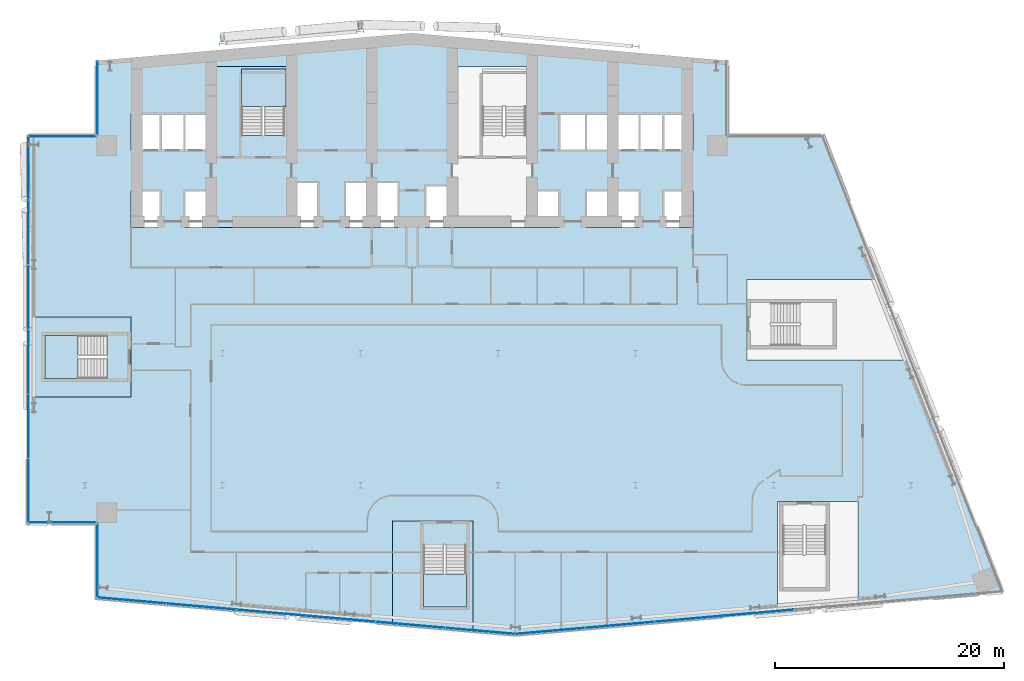
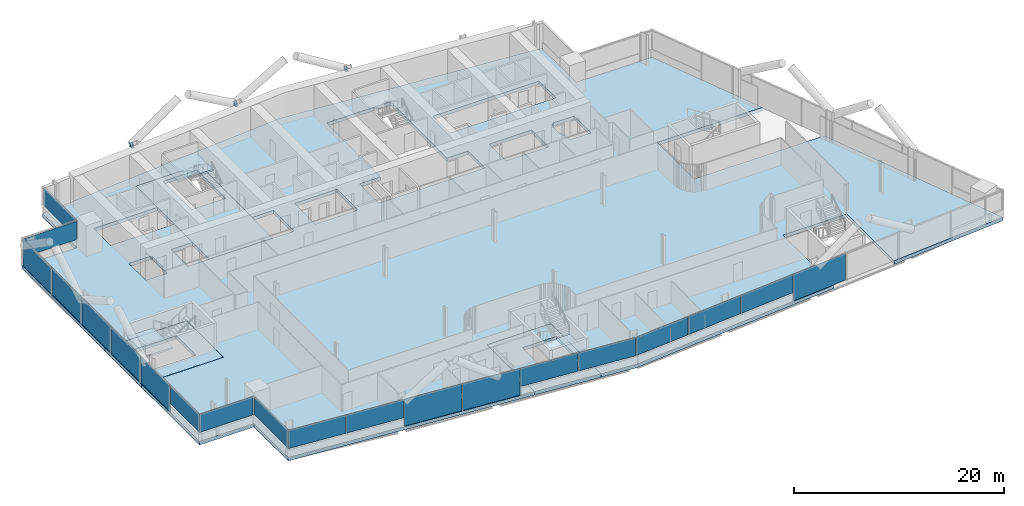
# One storey, part 12 of 30: 20 plates, 7 slabs, 4 members, 10 elements without a shape of their own.
"""IFC4 building model written with IfcOpenShell, lengths in metres."""

from ifc_helpers import new_model, si_unit, direction, frame, origin, origin_2d, place, context, subcontext, project, spatial, polyline, rectangle, i_section, outline, extrude, material, layer, layer_set, material_profile, profile_set, type_object, element, aggregate, save


model = new_model("IFC4")

# Units and contexts
model_context = context("Model", 3, precision=1e-05, world=origin(), true_north=direction((0.0, 1.0)))
body_context = subcontext(model_context, "Body", "Model", "MODEL_VIEW")
ifc_project = project(units=[si_unit("LENGTHUNIT", "METRE"), si_unit("AREAUNIT", "SQUARE_METRE"), si_unit("VOLUMEUNIT", "CUBIC_METRE"), si_unit("PLANEANGLEUNIT", "RADIAN"), si_unit("MASSUNIT", "GRAM", prefix="KILO")], contexts=[model_context])

# Site, building, storey
site_placement = place(None, origin())
site = spatial("IfcSite", under=ifc_project, at=site_placement, CompositionType="ELEMENT")
building_placement = place(site_placement, origin())
building = spatial("IfcBuilding", under=site, at=building_placement, Name="Wharfspan Tower", CompositionType="ELEMENT")
storey_placement = place(building_placement, frame((0.0, 0.0, 100.300049)))
storey = spatial("IfcBuildingStorey", under=building, at=storey_placement, Name="L22", CompositionType="ELEMENT", Elevation=100.300049)

# Members
ifc_material_1 = material(Name="Steel S355J2", Category="steel")
ifc_material_profile = material_profile(ifc_material_1, i_section(OverallWidth=0.300049, OverallDepth=0.300049, WebThickness=0.010986, FlangeThickness=0.019043, FilletRadius=0.0271, at=origin_2d()))
ifc_profile_set = profile_set([ifc_material_profile], Name="Steel S355J2")
member_type = type_object("IfcMemberType", Name="Brace node stub HEB 300", PredefinedType="STRUT", material=ifc_profile_set)
for number, where, z_axis, x_axis, name in (
    (1, (36.003906, 51.259521, 2.899902), (0.021934, 0.999759, 0.0), (-0.999759, 0.021934, 0.0), "Brace node stub L23 N1 A"),
    (2, (48.003662, 50.984131, 2.899902), (0.021934, 0.999759, 0.0), (-0.999759, 0.021934, 0.0), "Brace node stub L23 N1 B"),
    (3, (23.987061, 50.17627, 2.899902), (-0.087292, 0.996183, 0.0), (-0.996183, -0.087292, 0.0), "Brace node stub L23 N1 A"),
    (4, (35.987061, 51.226074, 2.899902), (-0.087292, 0.996183, 0.0), (-0.996183, -0.087292, 0.0), "Brace node stub L23 N1 B"),
):
    element("IfcMember", number, at=place(storey_placement, frame(where, z_axis=z_axis, x_axis=x_axis)), inside=storey, type_object=member_type, Name=name, PredefinedType="STRUT", context=body_context, shape_type="SweptSolid", body=[
        extrude(i_section(OverallWidth=0.300049, OverallDepth=0.300049, WebThickness=0.010986, FlangeThickness=0.019043, FilletRadius=0.0271, at=origin_2d()), origin(), (0.0, 0.0, 1.0), 0.556641),
    ])

# Curtain wall, plates
ifc_material_2 = material(Name="Aluminium 6063-T6", Category="aluminium")
curtain_wall_type_1 = type_object("IfcCurtainWallType", Name="CURTAIN WALL FACETED FRONT", PredefinedType="NOTDEFINED", material=ifc_material_2)
curtain_wall_1_placement = place(storey_placement, origin())
curtain_wall_1 = element("IfcCurtainWall", 5, at=curtain_wall_1_placement, inside=storey, type_object=curtain_wall_type_1, Name="Curtain wall S1", PredefinedType="NOTDEFINED")
ifc_material_3 = material(Name="Glass clear low-iron double glazing", Category="glass")
ifc_layer_1 = layer(ifc_material_3, 0.040039)
ifc_layer_set_1 = layer_set([ifc_layer_1], Name="Glass clear low-iron double glazing")
plate_type_1 = type_object("IfcPlateType", Name="GLASS PANEL FACETED FRONT 40", PredefinedType="CURTAIN_PANEL", material=ifc_layer_set_1)
plate_1_placement = place(storey_placement, frame((16.061768, 1.467529, 1.0), z_axis=(0.0, 0.0, 1.0), x_axis=(0.996198, -0.087156, 0.0)))
plate_1 = element("IfcPlate", 6, at=plate_1_placement, type_object=plate_type_1, Name="Curtain wall S1 panel 1", PredefinedType="CURTAIN_PANEL", context=body_context, shape_type="SweptSolid", body=[
    extrude(rectangle(XDim=6.016602, YDim=0.040039, at=origin_2d()), origin(), (0.0, 0.0, 1.0), 2.120117),
])
plate_2_placement = place(storey_placement, frame((22.130127, 0.936523, 1.0), z_axis=(0.0, 0.0, 1.0), x_axis=(0.996198, -0.087156, 0.0)))
plate_2 = element("IfcPlate", 7, at=plate_2_placement, type_object=plate_type_1, Name="Curtain wall S1 panel 2", PredefinedType="CURTAIN_PANEL", context=body_context, shape_type="SweptSolid", body=[
    extrude(rectangle(XDim=6.046631, YDim=0.040039, at=origin_2d()), origin(), (0.0, 0.0, 1.0), 2.120117),
])
plate_3_placement = place(storey_placement, frame((40.380127, -0.660156, 1.0), z_axis=(0.0, 0.0, 1.0), x_axis=(0.996198, -0.087156, 0.0)))
plate_3 = element("IfcPlate", 8, at=plate_3_placement, type_object=plate_type_1, Name="Curtain wall S1 panel 5", PredefinedType="CURTAIN_PANEL", context=body_context, shape_type="SweptSolid", body=[
    extrude(rectangle(XDim=6.046631, YDim=0.040039, at=origin_2d()), origin(), (0.0, 0.0, 1.0), 2.120117),
])
plate_4_placement = place(storey_placement, frame((46.44873, -1.191162, 1.0), z_axis=(0.0, 0.0, 1.0), x_axis=(0.996198, -0.087156, 0.0)))
plate_4 = element("IfcPlate", 9, at=plate_4_placement, type_object=plate_type_1, Name="Curtain wall S1 panel 6", PredefinedType="CURTAIN_PANEL", context=body_context, shape_type="SweptSolid", body=[
    extrude(rectangle(XDim=6.016602, YDim=0.040039, at=origin_2d()), origin(), (0.0, 0.0, 1.0), 2.120117),
])

curtain_wall_2_placement = place(storey_placement, origin())
curtain_wall_2 = element("IfcCurtainWall", 10, at=curtain_wall_2_placement, inside=storey, type_object=curtain_wall_type_1, Name="Curtain wall S2", PredefinedType="NOTDEFINED")
plate_5_placement = place(storey_placement, frame((52.54541, -1.19165, 1.0), z_axis=(0.0, 0.0, 1.0), x_axis=(0.996198, 0.087156, 0.0)))
plate_5 = element("IfcPlate", 11, at=plate_5_placement, type_object=plate_type_1, Name="Curtain wall S2 panel 1", PredefinedType="CURTAIN_PANEL", context=body_context, shape_type="SweptSolid", body=[
    extrude(rectangle(XDim=6.004639, YDim=0.040039, at=origin_2d()), origin(), (0.0, 0.0, 1.0), 2.120117),
])
plate_6_placement = place(storey_placement, frame((58.601807, -0.661621, 1.0), z_axis=(0.0, 0.0, 1.0), x_axis=(0.996198, 0.087156, 0.0)))
plate_6 = element("IfcPlate", 12, at=plate_6_placement, type_object=plate_type_1, Name="Curtain wall S2 panel 2", PredefinedType="CURTAIN_PANEL", context=body_context, shape_type="SweptSolid", body=[
    extrude(rectangle(XDim=6.034668, YDim=0.040039, at=origin_2d()), origin(), (0.0, 0.0, 1.0), 2.120117),
])
plate_7_placement = place(storey_placement, frame((64.67334, -0.130615, 1.0), z_axis=(0.0, 0.0, 1.0), x_axis=(0.996198, 0.087156, 0.0)))
plate_7 = element("IfcPlate", 13, at=plate_7_placement, type_object=plate_type_1, Name="Curtain wall S2 panel 3", PredefinedType="CURTAIN_PANEL", context=body_context, shape_type="SweptSolid", body=[
    extrude(rectangle(XDim=6.034668, YDim=0.040039, at=origin_2d()), origin(), (0.0, 0.0, 1.0), 2.120117),
])

# Curtain wall, plate
curtain_wall_type_2 = type_object("IfcCurtainWallType", Name="CURTAIN WALL PROW AND END", PredefinedType="NOTDEFINED", material=ifc_material_2)
curtain_wall_3_placement = place(storey_placement, origin())
curtain_wall_3 = element("IfcCurtainWall", 14, at=curtain_wall_3_placement, inside=storey, type_object=curtain_wall_type_2, Name="Curtain wall NRW-V", PredefinedType="NOTDEFINED")
ifc_layer_2 = layer(ifc_material_3, 0.040039)
ifc_layer_set_2 = layer_set([ifc_layer_2], Name="Glass clear low-iron double glazing")
plate_type_2 = type_object("IfcPlateType", Name="GLASS PANEL PROW AND END 40", PredefinedType="CURTAIN_PANEL", material=ifc_layer_set_2)
plate_8_placement = place(storey_placement, frame((13.080078, 45.262451, 1.0), z_axis=(0.0, 0.0, 1.0), x_axis=(0.0, -1.0, 0.0)))
plate_8 = element("IfcPlate", 15, at=plate_8_placement, type_object=plate_type_2, Name="Curtain wall NRW-V panel 1", PredefinedType="CURTAIN_PANEL", context=body_context, shape_type="SweptSolid", body=[
    extrude(rectangle(XDim=6.405029, YDim=0.040039, at=origin_2d()), origin(), (0.0, 0.0, 1.0), 2.120117),
])
aggregate(curtain_wall_3, [plate_8])

curtain_wall_4_placement = place(storey_placement, origin())
curtain_wall_4 = element("IfcCurtainWall", 16, at=curtain_wall_4_placement, inside=storey, type_object=curtain_wall_type_2, Name="Curtain wall NRW-H", PredefinedType="NOTDEFINED")
plate_9_placement = place(storey_placement, frame((10.0, 41.919922, 1.0), z_axis=(0.0, 0.0, 1.0), x_axis=(-1.0, 0.0, 0.0)))
plate_9 = element("IfcPlate", 17, at=plate_9_placement, type_object=plate_type_2, Name="Curtain wall NRW-H panel 1", PredefinedType="CURTAIN_PANEL", context=body_context, shape_type="SweptSolid", body=[
    extrude(rectangle(XDim=5.879883, YDim=0.040039, at=origin_2d()), origin(), (0.0, 0.0, 1.0), 2.120117),
])
aggregate(curtain_wall_4, [plate_9])

curtain_wall_5_placement = place(storey_placement, origin())
curtain_wall_5 = element("IfcCurtainWall", 18, at=curtain_wall_5_placement, inside=storey, type_object=curtain_wall_type_2, Name="Curtain wall W", PredefinedType="NOTDEFINED")
plate_10_placement = place(storey_placement, frame((7.080078, 11.031738, 1.0), z_axis=(0.0, 0.0, 1.0), x_axis=(0.0, -1.0, 0.0)))
plate_10 = element("IfcPlate", 19, at=plate_10_placement, type_object=plate_type_2, Name="Curtain wall W panel 6", PredefinedType="CURTAIN_PANEL", context=body_context, shape_type="SweptSolid", body=[
    extrude(rectangle(XDim=5.543213, YDim=0.040039, at=origin_2d()), origin(), (0.0, 0.0, 1.0), 2.120117),
])

curtain_wall_6_placement = place(storey_placement, origin())
curtain_wall_6 = element("IfcCurtainWall", 20, at=curtain_wall_6_placement, inside=storey, type_object=curtain_wall_type_2, Name="Curtain wall NFW-H", PredefinedType="NOTDEFINED")
plate_11_placement = place(storey_placement, frame((10.0, 8.280029, 1.0), z_axis=(0.0, 0.0, 1.0), x_axis=(1.0, 0.0, 0.0)))
plate_11 = element("IfcPlate", 21, at=plate_11_placement, type_object=plate_type_2, Name="Curtain wall NFW-H panel 1", PredefinedType="CURTAIN_PANEL", context=body_context, shape_type="SweptSolid", body=[
    extrude(rectangle(XDim=5.879883, YDim=0.040039, at=origin_2d()), origin(), (0.0, 0.0, 1.0), 2.120117),
])
aggregate(curtain_wall_6, [plate_11])

curtain_wall_7_placement = place(storey_placement, origin())
curtain_wall_7 = element("IfcCurtainWall", 22, at=curtain_wall_7_placement, inside=storey, type_object=curtain_wall_type_2, Name="Curtain wall NFW-V", PredefinedType="NOTDEFINED")
plate_12_placement = place(storey_placement, frame((13.080078, 4.9375, 1.0), z_axis=(0.0, 0.0, 1.0), x_axis=(0.0, -1.0, 0.0)))
plate_12 = element("IfcPlate", 23, at=plate_12_placement, type_object=plate_type_2, Name="Curtain wall NFW-V panel 1", PredefinedType="CURTAIN_PANEL", context=body_context, shape_type="SweptSolid", body=[
    extrude(rectangle(XDim=6.405029, YDim=0.040039, at=origin_2d()), origin(), (0.0, 0.0, 1.0), 2.120117),
])
aggregate(curtain_wall_7, [plate_12])

# Plate
ifc_material_4 = material(Name="Aluminium composite opaque insulated panel", Category="aluminium")
ifc_layer_3 = layer(ifc_material_4, 0.040039)
ifc_layer_set_3 = layer_set([ifc_layer_3], Name="Aluminium composite opaque insulated panel")
plate_type_3 = type_object("IfcPlateType", Name="INFILL PANEL FACETED FRONT OPAQUE 40", PredefinedType="SHEET", material=ifc_layer_set_3)
plate_13_placement = place(storey_placement, frame((28.213623, 0.404297, 0.0), z_axis=(0.0, 0.0, 1.0), x_axis=(0.996198, -0.087156, 0.0)))
plate_13 = element("IfcPlate", 24, at=plate_13_placement, type_object=plate_type_3, Name="Curtain wall S1 panel 3", PredefinedType="SHEET", context=body_context, shape_type="SweptSolid", body=[
    extrude(rectangle(XDim=6.046631, YDim=0.040039, at=origin_2d()), origin(), (0.0, 0.0, 1.0), 3.120117),
])

plate_14_placement = place(storey_placement, frame((34.296875, -0.12793, 0.0), z_axis=(0.0, 0.0, 1.0), x_axis=(0.996198, -0.087156, 0.0)))
plate_14 = element("IfcPlate", 25, at=plate_14_placement, type_object=plate_type_3, Name="Curtain wall S1 panel 4", PredefinedType="SHEET", context=body_context, shape_type="SweptSolid", body=[
    extrude(rectangle(XDim=6.046631, YDim=0.040039, at=origin_2d()), origin(), (0.0, 0.0, 1.0), 3.120117),
])

aggregate(curtain_wall_1, [plate_1, plate_2, plate_13, plate_14, plate_3, plate_4])

plate_15_placement = place(storey_placement, frame((70.744873, 0.400635, 0.0), z_axis=(0.0, 0.0, 1.0), x_axis=(0.996198, 0.087156, 0.0)))
plate_15 = element("IfcPlate", 26, at=plate_15_placement, type_object=plate_type_3, Name="Curtain wall S2 panel 4", PredefinedType="SHEET", context=body_context, shape_type="SweptSolid", body=[
    extrude(rectangle(XDim=6.034668, YDim=0.040039, at=origin_2d()), origin(), (0.0, 0.0, 1.0), 3.120117),
])

aggregate(curtain_wall_2, [plate_5, plate_6, plate_7, plate_15])

ifc_layer_4 = layer(ifc_material_4, 0.040039)
ifc_layer_set_4 = layer_set([ifc_layer_4], Name="Aluminium composite opaque insulated panel")
plate_type_4 = type_object("IfcPlateType", Name="INFILL PANEL PROW AND END OPAQUE 40", PredefinedType="SHEET", material=ifc_layer_set_4)
plate_16_placement = place(storey_placement, frame((7.080078, 39.168213, 0.0), z_axis=(0.0, 0.0, 1.0), x_axis=(0.0, -1.0, 0.0)))
plate_16 = element("IfcPlate", 27, at=plate_16_placement, type_object=plate_type_4, Name="Curtain wall W panel 1", PredefinedType="SHEET", context=body_context, shape_type="SweptSolid", body=[
    extrude(rectangle(XDim=5.543213, YDim=0.040039, at=origin_2d()), origin(), (0.0, 0.0, 1.0), 3.120117),
])

plate_17_placement = place(storey_placement, frame((7.080078, 33.550049, 0.0), z_axis=(0.0, 0.0, 1.0), x_axis=(0.0, -1.0, 0.0)))
plate_17 = element("IfcPlate", 28, at=plate_17_placement, type_object=plate_type_4, Name="Curtain wall W panel 2", PredefinedType="SHEET", context=body_context, shape_type="SweptSolid", body=[
    extrude(rectangle(XDim=5.573242, YDim=0.040039, at=origin_2d()), origin(), (0.0, 0.0, 1.0), 3.120117),
])

plate_18_placement = place(storey_placement, frame((7.080078, 27.916748, 0.0), z_axis=(0.0, 0.0, 1.0), x_axis=(0.0, -1.0, 0.0)))
plate_18 = element("IfcPlate", 29, at=plate_18_placement, type_object=plate_type_4, Name="Curtain wall W panel 3", PredefinedType="SHEET", context=body_context, shape_type="SweptSolid", body=[
    extrude(rectangle(XDim=5.573242, YDim=0.040039, at=origin_2d()), origin(), (0.0, 0.0, 1.0), 3.120117),
])

plate_19_placement = place(storey_placement, frame((7.080078, 22.283447, 0.0), z_axis=(0.0, 0.0, 1.0), x_axis=(0.0, -1.0, 0.0)))
plate_19 = element("IfcPlate", 30, at=plate_19_placement, type_object=plate_type_4, Name="Curtain wall W panel 4", PredefinedType="SHEET", context=body_context, shape_type="SweptSolid", body=[
    extrude(rectangle(XDim=5.573242, YDim=0.040039, at=origin_2d()), origin(), (0.0, 0.0, 1.0), 3.120117),
])

plate_20_placement = place(storey_placement, frame((7.080078, 16.649902, 0.0), z_axis=(0.0, 0.0, 1.0), x_axis=(0.0, -1.0, 0.0)))
plate_20 = element("IfcPlate", 31, at=plate_20_placement, type_object=plate_type_4, Name="Curtain wall W panel 5", PredefinedType="SHEET", context=body_context, shape_type="SweptSolid", body=[
    extrude(rectangle(XDim=5.573242, YDim=0.040039, at=origin_2d()), origin(), (0.0, 0.0, 1.0), 3.120117),
])

aggregate(curtain_wall_5, [plate_16, plate_17, plate_18, plate_19, plate_20, plate_10])

# Slabs
ifc_material_5 = material(Name="Concrete C40/50", Category="concrete")
ifc_layer_5 = layer(ifc_material_5, 0.399902)
ifc_layer_set_5 = layer_set([ifc_layer_5], Name="Concrete C40/50")
slab_type_1 = type_object("IfcSlabType", Name="Post-tensioned flat slab 400", PredefinedType="FLOOR", material=ifc_layer_set_5)
slab_1_placement = place(storey_placement, frame((0.0, 0.0, -0.400146)))
element("IfcSlab", 32, at=slab_1_placement, inside=storey, type_object=slab_type_1, Name="Floor slab L22", PredefinedType="FLOOR", context=body_context, shape_type="SweptSolid", body=[
    extrude(outline(polyline([(38.800293, -0.582275), (38.800293, 8.427002), (45.820312, 8.427002), (45.820312, -1.196289), (49.5, -1.518311), (72.355957, 0.481445), (72.355957, 10.104736), (79.375977, 10.104736), (79.375977, 1.095459), (92.0, 2.199951), (84.04541, 22.439941), (69.68042, 22.439941), (69.68042, 29.459961), (81.286621, 29.459961), (76.358154, 42.0), (68.0, 42.0), (68.0, 48.524902), (40.5, 50.930908), (13.0, 48.524902), (13.0, 42.0), (7.0, 42.0), (7.0, 26.209961), (16.01001, 26.209961), (16.01001, 19.189941), (7.0, 19.189941), (7.0, 8.199951), (13.0, 8.199951), (13.0, 1.675049), (38.800293, -0.582275)]), holes=[polyline([(62.48999, 35.389893), (62.36499, 35.389893), (62.36499, 36.909912), (62.48999, 36.909912), (62.48999, 37.110107), (62.656738, 37.110107), (62.656738, 37.209961), (65.01001, 37.209961), (65.01001, 33.98999), (62.656738, 33.98999), (62.656738, 34.98999), (62.48999, 34.98999), (62.48999, 35.389893)]), polyline([(65.01001, 43.909912), (65.01001, 40.689941), (53.323242, 40.689941), (53.323242, 43.909912), (65.01001, 43.909912)]), polyline([(55.656738, 33.98999), (55.656738, 37.209961), (60.343262, 37.209961), (60.343262, 33.98999), (55.656738, 33.98999)]), polyline([(43.98999, 37.659912), (43.98999, 48.01001), (51.01001, 48.01001), (51.01001, 37.209961), (53.343262, 37.209961), (53.343262, 33.98999), (41.656738, 33.98999), (41.656738, 37.659912), (43.98999, 37.659912)]), polyline([(34.656738, 33.98999), (34.656738, 37.959961), (39.343262, 37.959961), (39.343262, 33.98999), (34.656738, 33.98999)]), polyline([(20.656738, 37.209961), (22.98999, 37.209961), (22.98999, 40.689941), (20.676758, 40.689941), (20.656738, 40.689941), (15.98999, 40.689941), (15.98999, 43.909912), (20.656738, 43.909912), (20.676758, 43.909912), (22.98999, 43.909912), (22.98999, 48.01001), (30.01001, 48.01001), (30.01001, 37.959961), (32.343262, 37.959961), (32.343262, 33.98999), (20.656738, 33.98999), (20.656738, 37.209961)]), polyline([(18.51001, 34.98999), (18.343262, 34.98999), (18.343262, 33.98999), (15.98999, 33.98999), (15.98999, 37.209961), (18.343262, 37.209961), (18.343262, 37.110107), (18.51001, 37.110107), (18.51001, 34.98999)])]), origin(), (0.0, 0.0, 1.0), 0.400146),
])
slab_2_placement = place(storey_placement, frame((0.0, 0.0, -0.400146)))
element("IfcSlab", 33, at=slab_2_placement, inside=storey, type_object=slab_type_1, Name="Core floor slab L22 part 1", PredefinedType="FLOOR", context=body_context, shape_type="SweptSolid", body=[
    extrude(outline(polyline([(16.0, 20.524902), (16.0, 24.875), (16.0, 26.199951), (7.0, 26.199951), (7.0, 19.199951), (16.0, 19.199951), (16.0, 20.524902)]), holes=[polyline([(13.9021, 20.824951), (13.9021, 20.824707), (13.9021, 20.824707), (13.901855, 20.824463), (13.901855, 20.824219), (13.901855, 20.824219), (13.901611, 20.823975), (13.901611, 20.82373), (13.901367, 20.823486), (13.901367, 20.823486), (13.901123, 20.823242), (13.900879, 20.823242), (13.900879, 20.823242), (13.900635, 20.822998), (13.900391, 20.822998), (13.900146, 20.822998), (13.899902, 20.822998), (8.5, 20.822998), (8.499756, 20.822998), (8.499512, 20.822998), (8.499512, 20.822998), (8.499268, 20.823242), (8.499023, 20.823242), (8.498779, 20.823242), (8.498779, 20.823486), (8.498535, 20.823486), (8.498535, 20.82373), (8.498291, 20.823975), (8.498291, 20.824219), (8.498291, 20.824219), (8.498047, 20.824463), (8.498047, 20.824707), (8.498047, 20.824707), (8.498047, 20.824951), (8.498047, 24.574951), (8.498047, 24.575195), (8.498047, 24.575439), (8.498047, 24.575684), (8.498291, 24.575684), (8.498291, 24.575928), (8.498291, 24.576172), (8.498535, 24.576416), (8.498535, 24.576416), (8.498779, 24.576416), (8.498779, 24.57666), (8.499023, 24.576904), (8.499268, 24.576904), (8.499512, 24.576904), (8.499512, 24.576904), (8.499756, 24.576904), (8.5, 24.576904), (13.899902, 24.576904), (13.900146, 24.576904), (13.900391, 24.576904), (13.900635, 24.576904), (13.900879, 24.576904), (13.900879, 24.576904), (13.901123, 24.57666), (13.901367, 24.576416), (13.901367, 24.576416), (13.901611, 24.576416), (13.901611, 24.576172), (13.901855, 24.575928), (13.901855, 24.575684), (13.901855, 24.575684), (13.9021, 24.575439), (13.9021, 24.575195), (13.9021, 24.574951), (13.9021, 20.824951)])]), origin(), (0.0, 0.0, 1.0), 0.400146),
])
slab_3_placement = place(storey_placement, frame((0.0, 0.0, -0.400146)))
element("IfcSlab", 34, at=slab_3_placement, inside=storey, type_object=slab_type_1, Name="Core floor slab L22 part 2", PredefinedType="FLOOR", context=body_context, shape_type="SweptSolid", body=[
    extrude(outline(polyline([(20.664795, 34.0), (20.664795, 37.199951), (20.664795, 37.200195), (20.664795, 37.200439), (20.664795, 37.200684), (20.664795, 37.200684), (20.664795, 37.200928), (20.665039, 37.201172), (20.665039, 37.201416), (20.665283, 37.201416), (20.665283, 37.201416), (20.665527, 37.20166), (20.665771, 37.201904), (20.666016, 37.201904), (20.666016, 37.201904), (20.66626, 37.201904), (20.666504, 37.201904), (20.666748, 37.201904), (23.0, 37.201904), (23.000244, 37.201904), (23.000488, 37.201904), (23.000488, 37.201904), (23.000732, 37.201904), (23.000977, 37.201904), (23.001221, 37.20166), (23.001221, 37.201416), (23.001465, 37.201416), (23.001465, 37.201416), (23.001709, 37.201172), (23.001709, 37.200928), (23.001709, 37.200684), (23.001953, 37.200684), (23.001953, 37.200439), (23.001953, 37.200195), (23.001953, 37.199951), (23.001953, 34.0), (29.998047, 34.0), (29.998047, 37.949951), (29.998047, 37.950195), (29.998047, 37.950439), (29.998047, 37.950684), (29.998291, 37.950684), (29.998291, 37.950928), (29.998291, 37.951172), (29.998535, 37.951416), (29.998535, 37.951416), (29.998779, 37.951416), (29.998779, 37.95166), (29.999023, 37.951904), (29.999268, 37.951904), (29.999512, 37.951904), (29.999512, 37.951904), (29.999756, 37.951904), (30.0, 37.951904), (32.333252, 37.951904), (32.333496, 37.951904), (32.33374, 37.951904), (32.333984, 37.951904), (32.333984, 37.951904), (32.334229, 37.951904), (32.334473, 37.95166), (32.334717, 37.951416), (32.334717, 37.951416), (32.334961, 37.951416), (32.334961, 37.951172), (32.335205, 37.950928), (32.335205, 37.950684), (32.335205, 37.950684), (32.335205, 37.950439), (32.335205, 37.950195), (32.335205, 37.949951), (32.335205, 34.0), (32.341309, 34.0), (32.341309, 37.958008), (30.01001, 37.958008), (30.009766, 37.958008), (30.009521, 37.958008), (30.009521, 37.958008), (30.009277, 37.958252), (30.009033, 37.958252), (30.008789, 37.958252), (30.008789, 37.958496), (30.008545, 37.958496), (30.008545, 37.95874), (30.008301, 37.958984), (30.008301, 37.958984), (30.008301, 37.959229), (30.008057, 37.959473), (30.008057, 37.959717), (30.008057, 37.959717), (30.008057, 37.959961), (30.008057, 48.008057), (22.991943, 48.008057), (22.991943, 43.909912), (22.991943, 43.909912), (22.991943, 43.909668), (22.991943, 43.909424), (22.991699, 43.90918), (22.991699, 43.90918), (22.991699, 43.908936), (22.991455, 43.908691), (22.991455, 43.908691), (22.991211, 43.908447), (22.991211, 43.908203), (22.990967, 43.908203), (22.990723, 43.908203), (22.990479, 43.908203), (22.990479, 43.907959), (22.990234, 43.907959), (22.98999, 43.907959), (16.0, 43.907959), (16.0, 43.9021), (20.666748, 43.9021), (20.666748, 43.9021), (23.0, 43.9021), (23.000244, 43.9021), (23.000488, 43.9021), (23.000488, 43.901855), (23.000732, 43.901855), (23.000977, 43.901855), (23.001221, 43.901611), (23.001221, 43.901611), (23.001465, 43.901367), (23.001465, 43.901367), (23.001709, 43.901123), (23.001709, 43.900879), (23.001709, 43.900879), (23.001953, 43.900635), (23.001953, 43.900391), (23.001953, 43.900146), (23.001953, 43.899902), (23.001953, 40.699951), (23.001953, 40.699707), (23.001953, 40.699707), (23.001953, 40.699463), (23.001709, 40.699219), (23.001709, 40.699219), (23.001709, 40.698975), (23.001465, 40.69873), (23.001465, 40.698486), (23.001221, 40.698486), (23.001221, 40.698242), (23.000977, 40.698242), (23.000732, 40.698242), (23.000488, 40.697998), (23.000488, 40.697998), (23.000244, 40.697998), (23.0, 40.697998), (20.666748, 40.697998), (20.666748, 40.697998), (16.0, 40.697998), (16.0, 40.691895), (22.98999, 40.691895), (22.990234, 40.691895), (22.990479, 40.691895), (22.990479, 40.691895), (22.990723, 40.691895), (22.990967, 40.691895), (22.991211, 40.69165), (22.991211, 40.691406), (22.991455, 40.691406), (22.991455, 40.691406), (22.991699, 40.691162), (22.991699, 40.690918), (22.991699, 40.690918), (22.991943, 40.690674), (22.991943, 40.69043), (22.991943, 40.690186), (22.991943, 40.689941), (22.991943, 37.209961), (22.991943, 37.209717), (22.991943, 37.209717), (22.991943, 37.209473), (22.991699, 37.209229), (22.991699, 37.208984), (22.991699, 37.208984), (22.991455, 37.20874), (22.991455, 37.208496), (22.991211, 37.208496), (22.991211, 37.208252), (22.990967, 37.208252), (22.990723, 37.208252), (22.990479, 37.208008), (22.990479, 37.208008), (22.990234, 37.208008), (22.98999, 37.208008), (20.658691, 37.208008), (20.658691, 34.0), (20.664795, 34.0)]), holes=[polyline([(25.649902, 41.998047), (25.649902, 41.998047), (25.649658, 41.998047), (25.649414, 41.998047), (25.64917, 41.998291), (25.64917, 41.998291), (25.648926, 41.998291), (25.648682, 41.998535), (25.648682, 41.998535), (25.648438, 41.998779), (25.648193, 41.998779), (25.648193, 41.999023), (25.648193, 41.999268), (25.648193, 41.999512), (25.647949, 41.999512), (25.647949, 41.999756), (25.647949, 42.0), (25.647949, 47.399902), (25.647949, 47.400146), (25.647949, 47.400391), (25.648193, 47.400635), (25.648193, 47.400879), (25.648193, 47.400879), (25.648193, 47.401123), (25.648438, 47.401367), (25.648682, 47.401367), (25.648682, 47.401611), (25.648926, 47.401611), (25.64917, 47.401855), (25.64917, 47.401855), (25.649414, 47.401855), (25.649658, 47.4021), (25.649902, 47.4021), (25.649902, 47.4021), (29.399902, 47.4021), (29.400146, 47.4021), (29.400391, 47.4021), (29.400635, 47.401855), (29.400879, 47.401855), (29.400879, 47.401855), (29.401123, 47.401611), (29.401367, 47.401611), (29.401367, 47.401367), (29.401611, 47.401367), (29.401611, 47.401123), (29.401855, 47.400879), (29.401855, 47.400879), (29.401855, 47.400635), (29.4021, 47.400391), (29.4021, 47.400146), (29.4021, 47.399902), (29.4021, 42.0), (29.4021, 41.999756), (29.4021, 41.999512), (29.401855, 41.999512), (29.401855, 41.999268), (29.401855, 41.999023), (29.401611, 41.998779), (29.401611, 41.998779), (29.401367, 41.998535), (29.401367, 41.998535), (29.401123, 41.998291), (29.400879, 41.998291), (29.400879, 41.998291), (29.400635, 41.998047), (29.400391, 41.998047), (29.400146, 41.998047), (29.399902, 41.998047), (25.649902, 41.998047)])]), origin(), (0.0, 0.0, 1.0), 0.400146),
])
slab_4_placement = place(storey_placement, frame((0.0, 0.0, -0.400146)))
element("IfcSlab", 35, at=slab_4_placement, inside=storey, type_object=slab_type_1, Name="Core floor slab L22 part 3", PredefinedType="FLOOR", context=body_context, shape_type="SweptSolid", body=[
    extrude(outline(polyline([(45.5354, 8.416992), (41.185303, 8.416992), (38.810303, 8.416992), (38.810303, -0.583008), (45.810303, -1.195557), (45.810303, 8.416992), (45.5354, 8.416992)]), holes=[polyline([(41.483398, 6.316895), (41.483398, 6.317139), (41.483398, 6.317383), (41.483398, 6.317383), (41.483398, 6.317627), (41.483398, 6.317871), (41.483643, 6.318115), (41.483643, 6.318115), (41.483887, 6.318359), (41.483887, 6.318604), (41.484131, 6.318604), (41.484375, 6.318604), (41.484619, 6.318848), (41.484619, 6.318848), (41.484863, 6.318848), (41.485107, 6.319092), (41.485352, 6.319092), (45.235352, 6.319092), (45.235596, 6.319092), (45.235596, 6.318848), (45.23584, 6.318848), (45.236084, 6.318848), (45.236084, 6.318604), (45.236328, 6.318604), (45.236572, 6.318604), (45.236816, 6.318359), (45.236816, 6.318115), (45.236816, 6.318115), (45.237061, 6.317871), (45.237061, 6.317627), (45.237305, 6.317383), (45.237305, 6.317383), (45.237305, 6.317139), (45.237305, 6.316895), (45.237305, 0.916992), (45.237305, 0.916748), (45.237305, 0.916504), (45.237305, 0.916504), (45.237061, 0.91626), (45.237061, 0.916016), (45.236816, 0.916016), (45.236816, 0.915771), (45.236816, 0.915527), (45.236572, 0.915283), (45.236328, 0.915283), (45.236084, 0.915283), (45.236084, 0.915039), (45.23584, 0.915039), (45.235596, 0.915039), (45.235596, 0.915039), (45.235352, 0.915039), (41.485352, 0.915039), (41.485107, 0.915039), (41.484863, 0.915039), (41.484619, 0.915039), (41.484619, 0.915039), (41.484375, 0.915283), (41.484131, 0.915283), (41.483887, 0.915283), (41.483887, 0.915527), (41.483643, 0.915771), (41.483643, 0.916016), (41.483398, 0.916016), (41.483398, 0.91626), (41.483398, 0.916504), (41.483398, 0.916504), (41.483398, 0.916748), (41.483398, 0.916992), (41.483398, 6.316895)])]), origin(), (0.0, 0.0, 1.0), 0.400146),
])

# Stair, slab
stair_type = type_object("IfcStairType", Name="Half-turn stair 20 risers 180 mm", PredefinedType="HALF_TURN_STAIR", material=ifc_material_5)
stair_1_placement = place(storey_placement, origin())
stair_1 = element("IfcStair", 36, at=stair_1_placement, inside=storey, type_object=stair_type, Name="L22 stair ST1", PredefinedType="HALF_TURN_STAIR")
ifc_layer_6 = layer(ifc_material_5, 0.199951)
ifc_layer_set_6 = layer_set([ifc_layer_6], Name="Concrete C40/50")
slab_type_2 = type_object("IfcSlabType", Name="Stair landing 200", PredefinedType="LANDING", material=ifc_layer_set_6)
slab_5_placement = place(storey_placement, frame((0.0, 0.0, 1.599854)))
slab_5 = element("IfcSlab", 37, at=slab_5_placement, type_object=slab_type_2, Name="ST1 landing 1", PredefinedType="LANDING", context=body_context, shape_type="SweptSolid", body=[
    extrude(outline(polyline([(25.649902, 44.52002), (29.5, 44.52002), (29.5, 47.783691), (25.649902, 47.783691), (25.649902, 44.52002)])), origin(), (0.0, 0.0, 1.0), 0.200195),
])
aggregate(stair_1, [slab_5])

stair_2_placement = place(storey_placement, origin())
stair_2 = element("IfcStair", 38, at=stair_2_placement, inside=storey, type_object=stair_type, Name="L22 stair ST3", PredefinedType="HALF_TURN_STAIR")
slab_6_placement = place(storey_placement, frame((0.0, 0.0, 1.599854)))
slab_6 = element("IfcSlab", 39, at=slab_6_placement, type_object=slab_type_2, Name="ST3 landing 1", PredefinedType="LANDING", context=body_context, shape_type="SweptSolid", body=[
    extrude(outline(polyline([(11.379883, 24.574951), (8.5, 24.574951), (8.5, 20.824951), (11.379883, 20.824951), (11.379883, 24.574951)])), origin(), (0.0, 0.0, 1.0), 0.200195),
])
aggregate(stair_2, [slab_6])

stair_3_placement = place(storey_placement, origin())
stair_3 = element("IfcStair", 40, at=stair_3_placement, inside=storey, type_object=stair_type, Name="L22 stair ST4", PredefinedType="HALF_TURN_STAIR")
slab_7_placement = place(storey_placement, frame((0.0, 0.0, 1.599854)))
slab_7 = element("IfcSlab", 41, at=slab_7_placement, type_object=slab_type_2, Name="ST4 landing 1", PredefinedType="LANDING", context=body_context, shape_type="SweptSolid", body=[
    extrude(outline(polyline([(41.485352, 3.796875), (41.485352, 0.916992), (45.235352, 0.916992), (45.235352, 3.796875), (41.485352, 3.796875)])), origin(), (0.0, 0.0, 1.0), 0.200195),
])
aggregate(stair_3, [slab_7])

save(model, "model.ifc")
